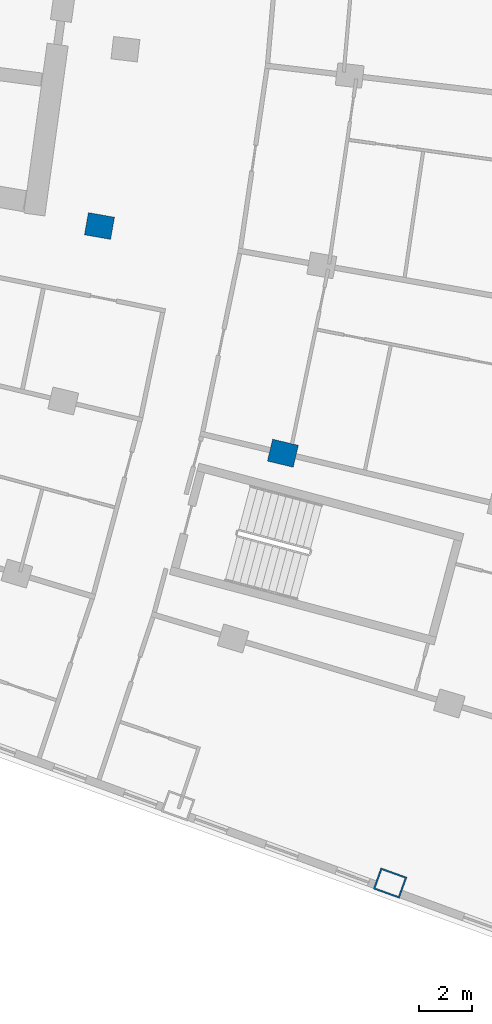
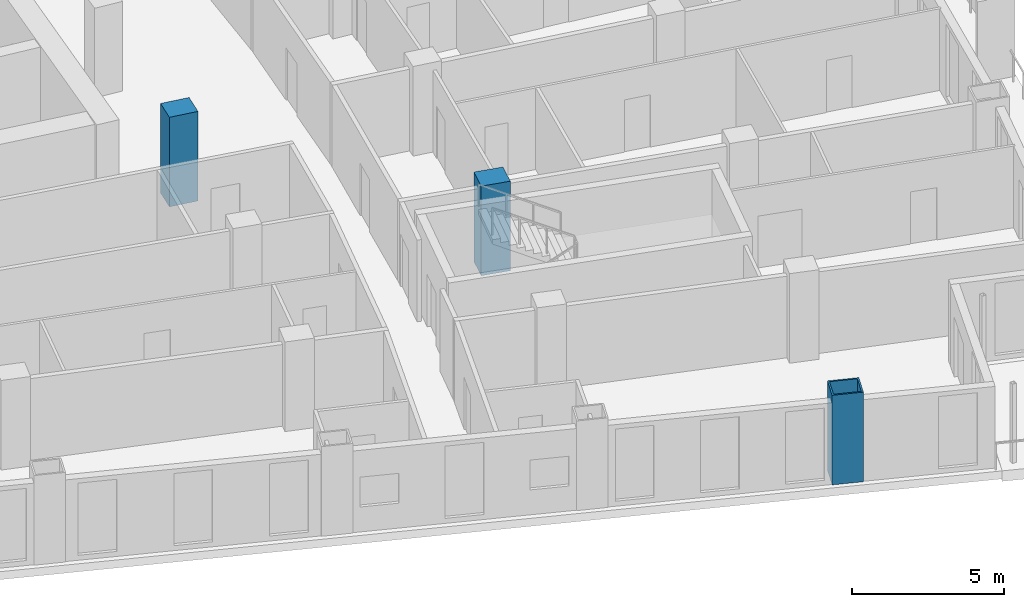
# One storey, part 4 of 24: 3 columns.
"""IFC4 building model written with IfcOpenShell, lengths in metres."""

from ifc_helpers import new_model, si_unit, direction, frame, origin, origin_2d, place, context, subcontext, project, spatial, rectangle, hollow_rectangle, extrude, material, material_profile, profile_set, type_object, element, save


model = new_model("IFC4")

# Units and contexts
model_context = context("Model", 3, precision=1e-05, world=origin(), true_north=direction((0.0, 1.0)))
body_context = subcontext(model_context, "Body", "Model", "MODEL_VIEW")
ifc_project = project(units=[si_unit("LENGTHUNIT", "METRE"), si_unit("AREAUNIT", "SQUARE_METRE"), si_unit("VOLUMEUNIT", "CUBIC_METRE"), si_unit("PLANEANGLEUNIT", "RADIAN"), si_unit("MASSUNIT", "GRAM", prefix="KILO")], contexts=[model_context])

# Site, building, storey
site_placement = place(None, origin())
site = spatial("IfcSite", under=ifc_project, at=site_placement, CompositionType="ELEMENT")
building_placement = place(site_placement, origin())
building = spatial("IfcBuilding", under=site, at=building_placement, Name="Alderwake Tower", CompositionType="ELEMENT")
storey_placement = place(building_placement, frame((0.0, 0.0, 96.800048828125)))
storey = spatial("IfcBuildingStorey", under=building, at=storey_placement, Name="L23", CompositionType="ELEMENT", Elevation=96.800048828125)

# Columns
ifc_material_1 = material(Name="Steel ASTM A572 Grade 50 concrete filled C70/85", Category="concrete")
ifc_material_profile_1 = material_profile(ifc_material_1, hollow_rectangle(XDim=0.85009765625, YDim=1.050048828125, WallThickness=0.06005859375, at=origin_2d()), Name="BOX 1050X850X60")
ifc_profile_set_1 = profile_set([ifc_material_profile_1], Name="Steel ASTM A572 Grade 50 concrete filled C70/85")
column_type_1 = type_object("IfcColumnType", Name="End column Z2", PredefinedType="COLUMN", material=ifc_profile_set_1)
column_placement = place(storey_placement, frame((45.015869140625, 16.00439453125, 0.0), z_axis=(0.0, 0.0, 1.0), x_axis=(0.33865252722, 0.940911507958, 0.0)))
element("IfcColumn", 1, at=column_placement, inside=storey, type_object=column_type_1, Name="Column R01-C4", PredefinedType="COLUMN", context=body_context, shape_type="SweptSolid", body=[
    extrude(hollow_rectangle(XDim=0.85009765625, YDim=1.050048828125, WallThickness=0.06005859375, at=origin_2d()), origin(), (0.0, 0.0, 1.0), 3.599853515625),
])
ifc_material_2 = material(Name="Concrete C70/85", Category="concrete")
ifc_material_profile_2 = material_profile(ifc_material_2, rectangle(XDim=0.85009765625, YDim=1.0, at=origin_2d()), Name="RC 1000X850")
ifc_profile_set_2 = profile_set([ifc_material_profile_2], Name="Concrete C70/85")
column_type_2 = type_object("IfcColumnType", Name="Interior column Z2", PredefinedType="COLUMN", material=ifc_profile_set_2)
for number, where, z_axis, x_axis, name in (
    (2, (40.964111328125, 32.25146484375, 0.0), (0.0, 0.0, 1.0), (0.231221547198, 0.972901123502, 0.0), "Column R03-C3"),
    (3, (34.03125, 40.83837890625, 0.0), (0.0, 0.0, 1.0), (0.174108800747, 0.984726421654, 0.0), "Column R04-C2"),
):
    element("IfcColumn", number, at=place(storey_placement, frame(where, z_axis=z_axis, x_axis=x_axis)), inside=storey, type_object=column_type_2, Name=name, PredefinedType="COLUMN", context=body_context, shape_type="SweptSolid", body=[
        extrude(rectangle(XDim=0.85009765625, YDim=1.0, at=origin_2d()), origin(), (0.0, 0.0, 1.0), 3.599853515625),
    ])

save(model, "model.ifc")
